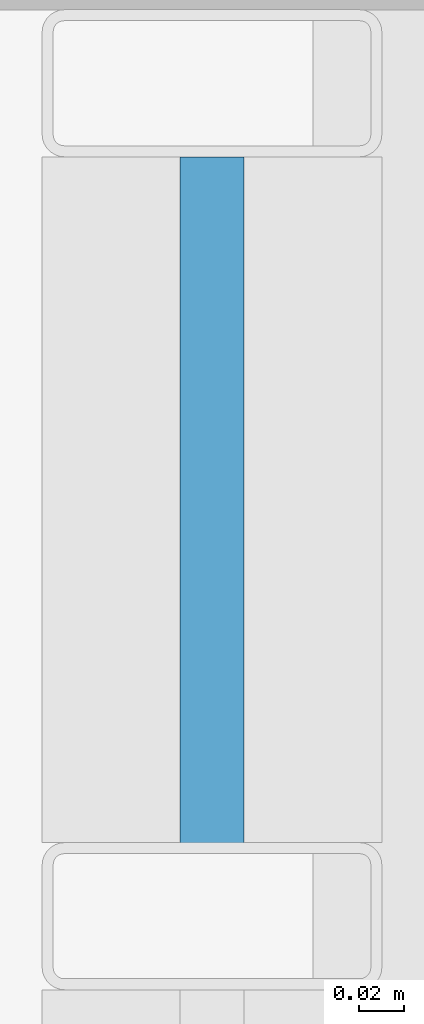
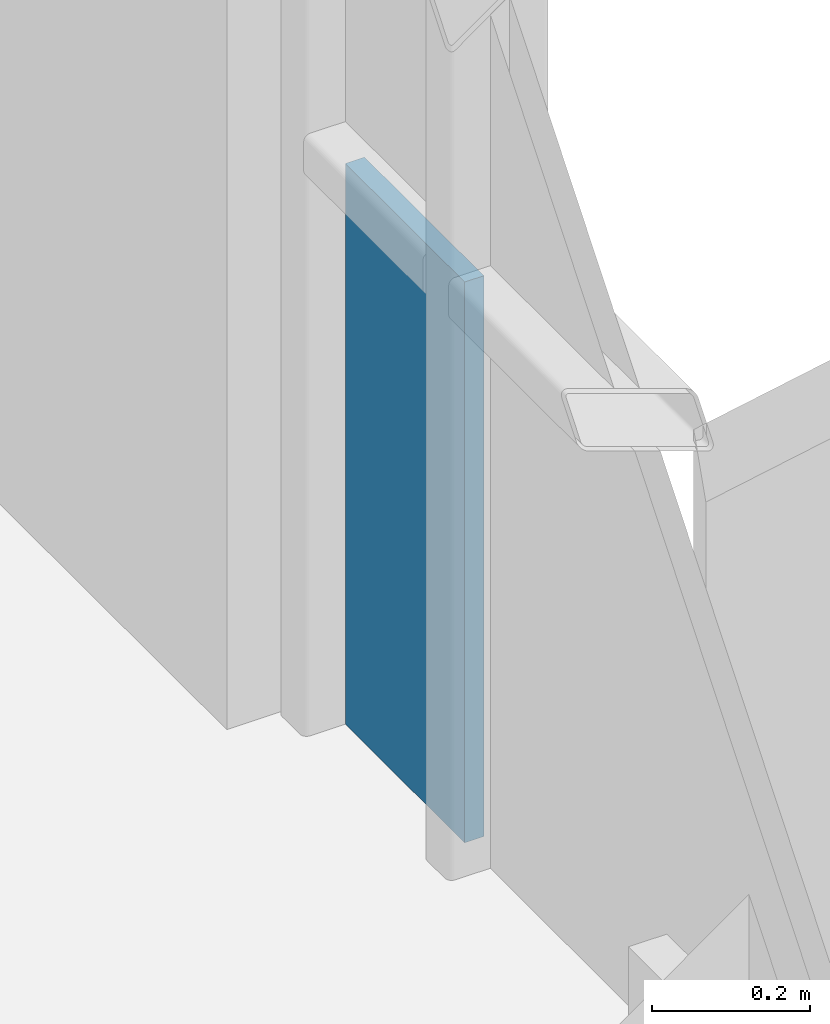
# One storey, part 26 of 39: 1 plate, 1 element without a shape of its own.
"""IFC4 building model written with IfcOpenShell, lengths in metres."""

from ifc_helpers import new_model, si_unit, direction, frame, origin, origin_2d, place, context, subcontext, project, spatial, rectangle, extrude, material, layer, layer_set, type_object, element, aggregate, save


model = new_model("IFC4")

# Units and contexts
model_context = context("Model", 3, precision=1e-05, world=origin(), true_north=direction((0.0, 1.0)))
body_context = subcontext(model_context, "Body", "Model", "MODEL_VIEW")
ifc_project = project(units=[si_unit("LENGTHUNIT", "METRE"), si_unit("AREAUNIT", "SQUARE_METRE"), si_unit("VOLUMEUNIT", "CUBIC_METRE"), si_unit("PLANEANGLEUNIT", "RADIAN"), si_unit("MASSUNIT", "GRAM", prefix="KILO")], contexts=[model_context])

# Site, building, storey
site_placement = place(None, origin())
site = spatial("IfcSite", under=ifc_project, at=site_placement, CompositionType="ELEMENT")
building_placement = place(site_placement, origin())
building = spatial("IfcBuilding", under=site, at=building_placement, Name="Brevholm Reach", CompositionType="ELEMENT")
storey_placement = place(building_placement, frame((0.0, 0.0, 77.60009765625)))
storey = spatial("IfcBuildingStorey", under=building, at=storey_placement, Name="L22", CompositionType="ELEMENT", Elevation=77.60009765625)

# Curtain wall, plate
ifc_material_1 = material(Name="Dark Anodised Aluminium 6063-T6 and Solar-Control Glass", Category="aluminium")
ifc_layer_1 = layer(ifc_material_1, 0.14990234375)
ifc_layer_set_1 = layer_set([ifc_layer_1], Name="Dark Anodised Aluminium 6063-T6 and Solar-Control Glass")
curtain_wall_type = type_object("IfcCurtainWallType", Name="CW-01", PredefinedType="NOTDEFINED", material=ifc_layer_set_1)
curtain_wall_placement = place(storey_placement, origin())
curtain_wall = element("IfcCurtainWall", 1, at=curtain_wall_placement, inside=storey, type_object=curtain_wall_type, Name="L22 Curtain Wall CW-01", PredefinedType="NOTDEFINED")
ifc_material_2 = material(Name="Dark Solar-Control Double-Glazed IGU Glass", Category="glass")
ifc_layer_2 = layer(ifc_material_2, 0.028076171875)
ifc_layer_set_2 = layer_set([ifc_layer_2], Name="Dark Solar-Control Double-Glazed IGU Glass")
plate_type = type_object("IfcPlateType", Name="CWP-GLZ-28", PredefinedType="CURTAIN_PANEL", material=ifc_layer_set_2)
plate_placement = place(storey_placement, frame((59.85009765625, 22.733642578125, 0.0), z_axis=(0.0, 0.0, 1.0), x_axis=(0.0, 1.0, 0.0)))
plate = element("IfcPlate", 2, at=plate_placement, type_object=plate_type, Name="CP-01 Glazing Panel 5.1", PredefinedType="CURTAIN_PANEL", context=body_context, shape_type="SweptSolid", body=[
    extrude(rectangle(XDim=0.302490234375, YDim=0.028076171875, at=origin_2d()), origin(), (0.0, 0.0, 1.0), 0.867431640625),
])
aggregate(curtain_wall, [plate])

save(model, "model.ifc")
